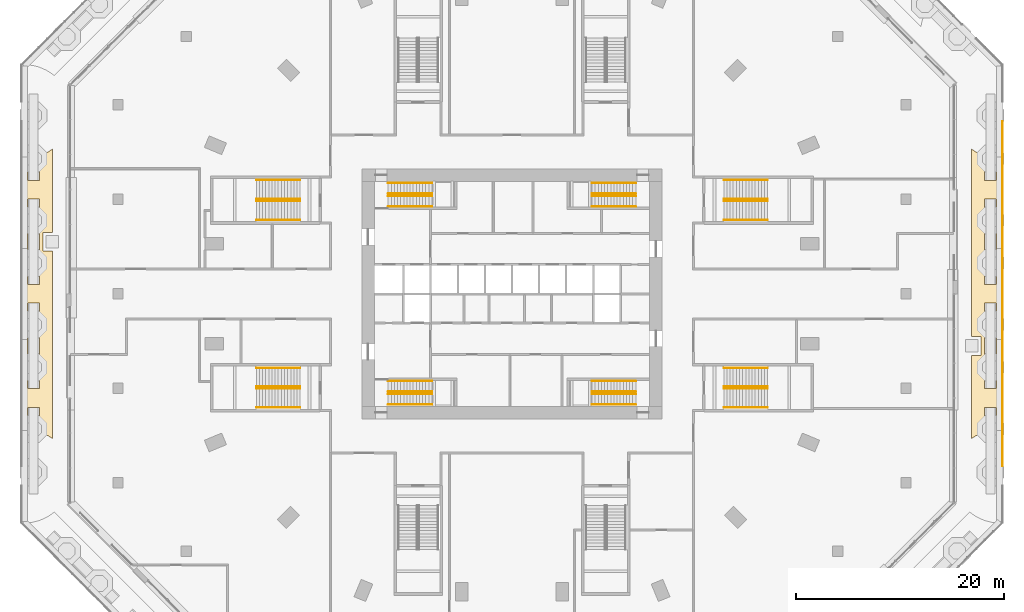
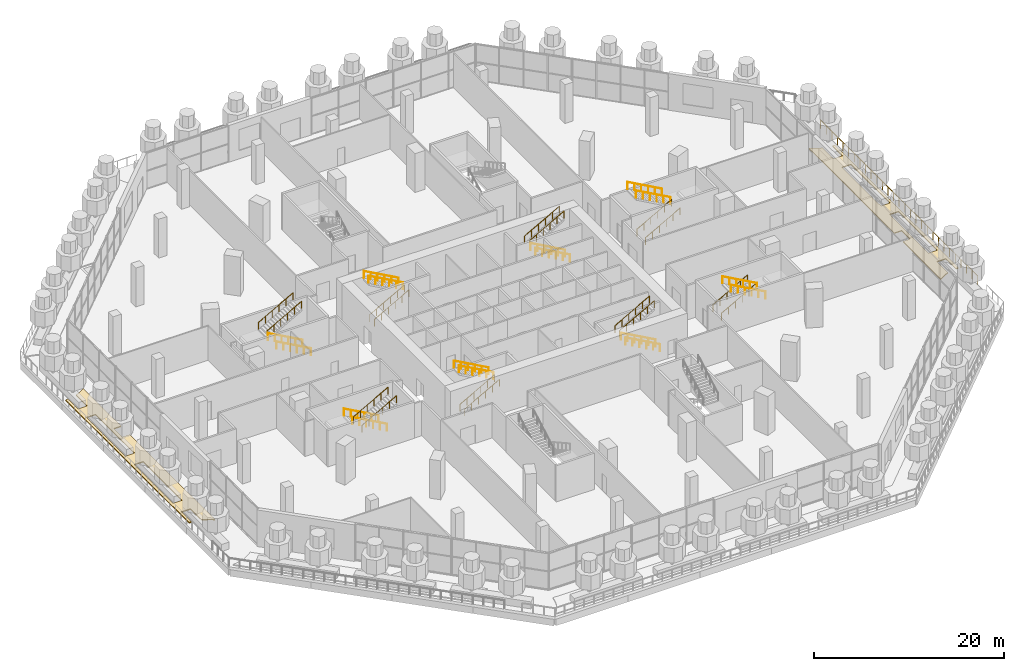
# One storey, part 30 of 32: 33 railings, 2 coverings.
"""IFC4 building model written with IfcOpenShell, lengths in metres."""

from ifc_helpers import new_model, si_unit, direction, frame, origin, origin_2d, place, context, subcontext, project, spatial, polyline, circle, outline, extrude, material, layer, layer_set, constituent, constituent_set, type_object, element, save


model = new_model("IFC4")

# Units and contexts
model_context = context("Model", 3, precision=1e-05, world=origin(), true_north=direction((0.0, 1.0)))
body_context = subcontext(model_context, "Body", "Model", "MODEL_VIEW")
ifc_project = project(units=[si_unit("LENGTHUNIT", "METRE"), si_unit("AREAUNIT", "SQUARE_METRE"), si_unit("VOLUMEUNIT", "CUBIC_METRE"), si_unit("PLANEANGLEUNIT", "RADIAN"), si_unit("MASSUNIT", "GRAM", prefix="KILO")], contexts=[model_context])

# Site, building, storey
site_placement = place(None, origin())
site = spatial("IfcSite", under=ifc_project, at=site_placement, CompositionType="ELEMENT")
building_placement = place(site_placement, origin())
building = spatial("IfcBuilding", under=site, at=building_placement, Name="Msitu Wima Residences", CompositionType="ELEMENT")
storey_placement = place(building_placement, frame((0.0, 0.0, 6.0)))
storey = spatial("IfcBuildingStorey", under=building, at=storey_placement, Name="L01", CompositionType="ELEMENT", Elevation=6.0)

# Railings
ifc_material_1 = material(Name="Steel S355", Category="steel")
ifc_constituent_1 = constituent(ifc_material_1, Name="Steel S355")
ifc_material_2 = material(Name="Black powder coating")
ifc_constituent_2 = constituent(ifc_material_2, Name="Black powder coating")
ifc_constituent_set_1 = constituent_set(constituents=[ifc_constituent_1, ifc_constituent_2], Name="Steel S355")
railing_type_1 = type_object("IfcRailingType", Name="Stair handrail HR1", PredefinedType="HANDRAIL", material=ifc_constituent_set_1)
for number, where, name in (
    (1, (-11.875, 8.375, 0.166748046875), "Stair 1 handrail"),
    (2, (-11.875, 9.375, 0.166748046875), "Stair 1 handrail"),
):
    element("IfcRailing", number, at=place(storey_placement, frame(where)), inside=storey, type_object=railing_type_1, Name=name, PredefinedType="HANDRAIL", context=body_context, shape_type="SweptSolid", body=[
        extrude(circle(Radius=0.02392578125, at=origin_2d()), frame((0.0, 0.0, 0.8759765625), z_axis=(0.874162069901, 0.0, 0.485634302275), x_axis=(0.0, 1.0, 0.0)), (0.0, 0.0, 1.0), 4.804443359375),
        extrude(circle(Radius=0.02099609375, at=origin_2d()), origin(), (0.0, 0.0, 1.0), 0.851806640625),
        extrude(circle(Radius=0.02099609375, at=origin_2d()), frame((0.840087890625, 0.0, 0.466552734375)), (0.0, 0.0, 1.0), 0.851806640625),
        extrude(circle(Radius=0.02099609375, at=origin_2d()), frame((1.679931640625, 0.0, 0.933349609375)), (0.0, 0.0, 1.0), 0.851806640625),
        extrude(circle(Radius=0.02099609375, at=origin_2d()), frame((2.52001953125, 0.0, 1.39990234375)), (0.0, 0.0, 1.0), 0.851806640625),
        extrude(circle(Radius=0.02099609375, at=origin_2d()), frame((3.35986328125, 0.0, 1.86669921875)), (0.0, 0.0, 1.0), 0.851806640625),
        extrude(circle(Radius=0.02099609375, at=origin_2d()), frame((4.199951171875, 0.0, 2.333251953125)), (0.0, 0.0, 1.0), 0.851806640625),
    ])
for number, where, name in (
    (3, (-7.675048828125, 9.625, 2.666748046875), "Stair 1 handrail"),
    (4, (-7.675048828125, 10.625, 2.666748046875), "Stair 1 handrail"),
):
    element("IfcRailing", number, at=place(storey_placement, frame(where)), inside=storey, type_object=railing_type_1, Name=name, PredefinedType="HANDRAIL", context=body_context, shape_type="SweptSolid", body=[
        extrude(circle(Radius=0.02392578125, at=origin_2d()), frame((0.0, 0.0, 0.8759765625), z_axis=(-0.874162069901, 0.0, 0.485634302275), x_axis=(0.0, -1.0, 0.0)), (0.0, 0.0, 1.0), 4.804443359375),
        extrude(circle(Radius=0.02099609375, at=origin_2d()), origin(), (0.0, 0.0, 1.0), 0.851806640625),
        extrude(circle(Radius=0.02099609375, at=origin_2d()), frame((-0.840087890625, 0.0, 0.466552734375)), (0.0, 0.0, 1.0), 0.851806640625),
        extrude(circle(Radius=0.02099609375, at=origin_2d()), frame((-1.679931640625, 0.0, 0.933349609375)), (0.0, 0.0, 1.0), 0.851806640625),
        extrude(circle(Radius=0.02099609375, at=origin_2d()), frame((-2.52001953125, 0.0, 1.39990234375)), (0.0, 0.0, 1.0), 0.851806640625),
        extrude(circle(Radius=0.02099609375, at=origin_2d()), frame((-3.35986328125, 0.0, 1.86669921875)), (0.0, 0.0, 1.0), 0.851806640625),
        extrude(circle(Radius=0.02099609375, at=origin_2d()), frame((-4.199951171875, 0.0, 2.333251953125)), (0.0, 0.0, 1.0), 0.851806640625),
    ])
for number, where, name in (
    (5, (-11.875, -10.625, 0.166748046875), "Stair 2 handrail"),
    (6, (-11.875, -9.625, 0.166748046875), "Stair 2 handrail"),
):
    element("IfcRailing", number, at=place(storey_placement, frame(where)), inside=storey, type_object=railing_type_1, Name=name, PredefinedType="HANDRAIL", context=body_context, shape_type="SweptSolid", body=[
        extrude(circle(Radius=0.02392578125, at=origin_2d()), frame((0.0, 0.0, 0.8759765625), z_axis=(0.874162069901, 0.0, 0.485634302275), x_axis=(0.0, 1.0, 0.0)), (0.0, 0.0, 1.0), 4.804443359375),
        extrude(circle(Radius=0.02099609375, at=origin_2d()), origin(), (0.0, 0.0, 1.0), 0.851806640625),
        extrude(circle(Radius=0.02099609375, at=origin_2d()), frame((0.840087890625, 0.0, 0.466552734375)), (0.0, 0.0, 1.0), 0.851806640625),
        extrude(circle(Radius=0.02099609375, at=origin_2d()), frame((1.679931640625, 0.0, 0.933349609375)), (0.0, 0.0, 1.0), 0.851806640625),
        extrude(circle(Radius=0.02099609375, at=origin_2d()), frame((2.52001953125, 0.0, 1.39990234375)), (0.0, 0.0, 1.0), 0.851806640625),
        extrude(circle(Radius=0.02099609375, at=origin_2d()), frame((3.35986328125, 0.0, 1.86669921875)), (0.0, 0.0, 1.0), 0.851806640625),
        extrude(circle(Radius=0.02099609375, at=origin_2d()), frame((4.199951171875, 0.0, 2.333251953125)), (0.0, 0.0, 1.0), 0.851806640625),
    ])
for number, where, name in (
    (7, (-7.675048828125, -9.375, 2.666748046875), "Stair 2 handrail"),
    (8, (-7.675048828125, -8.375, 2.666748046875), "Stair 2 handrail"),
    (9, (11.875, 8.375, 0.166748046875), "Stair 3 handrail"),
    (10, (11.875, 9.375, 0.166748046875), "Stair 3 handrail"),
):
    element("IfcRailing", number, at=place(storey_placement, frame(where)), inside=storey, type_object=railing_type_1, Name=name, PredefinedType="HANDRAIL", context=body_context, shape_type="SweptSolid", body=[
        extrude(circle(Radius=0.02392578125, at=origin_2d()), frame((0.0, 0.0, 0.8759765625), z_axis=(-0.874162069901, 0.0, 0.485634302275), x_axis=(0.0, -1.0, 0.0)), (0.0, 0.0, 1.0), 4.804443359375),
        extrude(circle(Radius=0.02099609375, at=origin_2d()), origin(), (0.0, 0.0, 1.0), 0.851806640625),
        extrude(circle(Radius=0.02099609375, at=origin_2d()), frame((-0.840087890625, 0.0, 0.466552734375)), (0.0, 0.0, 1.0), 0.851806640625),
        extrude(circle(Radius=0.02099609375, at=origin_2d()), frame((-1.679931640625, 0.0, 0.933349609375)), (0.0, 0.0, 1.0), 0.851806640625),
        extrude(circle(Radius=0.02099609375, at=origin_2d()), frame((-2.52001953125, 0.0, 1.39990234375)), (0.0, 0.0, 1.0), 0.851806640625),
        extrude(circle(Radius=0.02099609375, at=origin_2d()), frame((-3.35986328125, 0.0, 1.86669921875)), (0.0, 0.0, 1.0), 0.851806640625),
        extrude(circle(Radius=0.02099609375, at=origin_2d()), frame((-4.199951171875, 0.0, 2.333251953125)), (0.0, 0.0, 1.0), 0.851806640625),
    ])
for number, where, name in (
    (11, (7.675048828125, 9.625, 2.666748046875), "Stair 3 handrail"),
    (12, (7.675048828125, 10.625, 2.666748046875), "Stair 3 handrail"),
):
    element("IfcRailing", number, at=place(storey_placement, frame(where)), inside=storey, type_object=railing_type_1, Name=name, PredefinedType="HANDRAIL", context=body_context, shape_type="SweptSolid", body=[
        extrude(circle(Radius=0.02392578125, at=origin_2d()), frame((0.0, 0.0, 0.8759765625), z_axis=(0.874162069901, 0.0, 0.485634302275), x_axis=(0.0, 1.0, 0.0)), (0.0, 0.0, 1.0), 4.804443359375),
        extrude(circle(Radius=0.02099609375, at=origin_2d()), origin(), (0.0, 0.0, 1.0), 0.851806640625),
        extrude(circle(Radius=0.02099609375, at=origin_2d()), frame((0.840087890625, 0.0, 0.466552734375)), (0.0, 0.0, 1.0), 0.851806640625),
        extrude(circle(Radius=0.02099609375, at=origin_2d()), frame((1.679931640625, 0.0, 0.933349609375)), (0.0, 0.0, 1.0), 0.851806640625),
        extrude(circle(Radius=0.02099609375, at=origin_2d()), frame((2.52001953125, 0.0, 1.39990234375)), (0.0, 0.0, 1.0), 0.851806640625),
        extrude(circle(Radius=0.02099609375, at=origin_2d()), frame((3.35986328125, 0.0, 1.86669921875)), (0.0, 0.0, 1.0), 0.851806640625),
        extrude(circle(Radius=0.02099609375, at=origin_2d()), frame((4.199951171875, 0.0, 2.333251953125)), (0.0, 0.0, 1.0), 0.851806640625),
    ])
for number, where, name in (
    (13, (11.875, -10.625, 0.166748046875), "Stair 4 handrail"),
    (14, (11.875, -9.625, 0.166748046875), "Stair 4 handrail"),
):
    element("IfcRailing", number, at=place(storey_placement, frame(where)), inside=storey, type_object=railing_type_1, Name=name, PredefinedType="HANDRAIL", context=body_context, shape_type="SweptSolid", body=[
        extrude(circle(Radius=0.02392578125, at=origin_2d()), frame((0.0, 0.0, 0.8759765625), z_axis=(-0.874162069901, 0.0, 0.485634302275), x_axis=(0.0, -1.0, 0.0)), (0.0, 0.0, 1.0), 4.804443359375),
        extrude(circle(Radius=0.02099609375, at=origin_2d()), origin(), (0.0, 0.0, 1.0), 0.851806640625),
        extrude(circle(Radius=0.02099609375, at=origin_2d()), frame((-0.840087890625, 0.0, 0.466552734375)), (0.0, 0.0, 1.0), 0.851806640625),
        extrude(circle(Radius=0.02099609375, at=origin_2d()), frame((-1.679931640625, 0.0, 0.933349609375)), (0.0, 0.0, 1.0), 0.851806640625),
        extrude(circle(Radius=0.02099609375, at=origin_2d()), frame((-2.52001953125, 0.0, 1.39990234375)), (0.0, 0.0, 1.0), 0.851806640625),
        extrude(circle(Radius=0.02099609375, at=origin_2d()), frame((-3.35986328125, 0.0, 1.86669921875)), (0.0, 0.0, 1.0), 0.851806640625),
        extrude(circle(Radius=0.02099609375, at=origin_2d()), frame((-4.199951171875, 0.0, 2.333251953125)), (0.0, 0.0, 1.0), 0.851806640625),
    ])
for number, where, name in (
    (15, (7.675048828125, -9.375, 2.666748046875), "Stair 4 handrail"),
    (16, (7.675048828125, -8.375, 2.666748046875), "Stair 4 handrail"),
    (17, (20.324951171875, 7.10009765625, 0.166748046875), "Podium exit stair 1 handrail"),
    (18, (20.324951171875, 8.89990234375, 0.166748046875), "Podium exit stair 1 handrail"),
):
    element("IfcRailing", number, at=place(storey_placement, frame(where)), inside=storey, type_object=railing_type_1, Name=name, PredefinedType="HANDRAIL", context=body_context, shape_type="SweptSolid", body=[
        extrude(circle(Radius=0.02392578125, at=origin_2d()), frame((0.0, 0.0, 0.8759765625), z_axis=(0.874162069901, 0.0, 0.485634302275), x_axis=(0.0, 1.0, 0.0)), (0.0, 0.0, 1.0), 4.804443359375),
        extrude(circle(Radius=0.02099609375, at=origin_2d()), origin(), (0.0, 0.0, 1.0), 0.851806640625),
        extrude(circle(Radius=0.02099609375, at=origin_2d()), frame((0.840087890625, 0.0, 0.466552734375)), (0.0, 0.0, 1.0), 0.851806640625),
        extrude(circle(Radius=0.02099609375, at=origin_2d()), frame((1.679931640625, 0.0, 0.933349609375)), (0.0, 0.0, 1.0), 0.851806640625),
        extrude(circle(Radius=0.02099609375, at=origin_2d()), frame((2.52001953125, 0.0, 1.39990234375)), (0.0, 0.0, 1.0), 0.851806640625),
        extrude(circle(Radius=0.02099609375, at=origin_2d()), frame((3.35986328125, 0.0, 1.86669921875)), (0.0, 0.0, 1.0), 0.851806640625),
        extrude(circle(Radius=0.02099609375, at=origin_2d()), frame((4.199951171875, 0.0, 2.333251953125)), (0.0, 0.0, 1.0), 0.851806640625),
    ])
for number, where, name in (
    (19, (24.52490234375, 9.10009765625, 2.666748046875), "Podium exit stair 1 handrail"),
    (20, (24.52490234375, 10.89990234375, 2.666748046875), "Podium exit stair 1 handrail"),
):
    element("IfcRailing", number, at=place(storey_placement, frame(where)), inside=storey, type_object=railing_type_1, Name=name, PredefinedType="HANDRAIL", context=body_context, shape_type="SweptSolid", body=[
        extrude(circle(Radius=0.02392578125, at=origin_2d()), frame((0.0, 0.0, 0.8759765625), z_axis=(-0.874162069901, 0.0, 0.485634302275), x_axis=(0.0, -1.0, 0.0)), (0.0, 0.0, 1.0), 4.804443359375),
        extrude(circle(Radius=0.02099609375, at=origin_2d()), origin(), (0.0, 0.0, 1.0), 0.851806640625),
        extrude(circle(Radius=0.02099609375, at=origin_2d()), frame((-0.840087890625, 0.0, 0.466552734375)), (0.0, 0.0, 1.0), 0.851806640625),
        extrude(circle(Radius=0.02099609375, at=origin_2d()), frame((-1.679931640625, 0.0, 0.933349609375)), (0.0, 0.0, 1.0), 0.851806640625),
        extrude(circle(Radius=0.02099609375, at=origin_2d()), frame((-2.52001953125, 0.0, 1.39990234375)), (0.0, 0.0, 1.0), 0.851806640625),
        extrude(circle(Radius=0.02099609375, at=origin_2d()), frame((-3.35986328125, 0.0, 1.86669921875)), (0.0, 0.0, 1.0), 0.851806640625),
        extrude(circle(Radius=0.02099609375, at=origin_2d()), frame((-4.199951171875, 0.0, 2.333251953125)), (0.0, 0.0, 1.0), 0.851806640625),
    ])
for number, where, name in (
    (21, (20.324951171875, -7.10009765625, 0.166748046875), "Podium exit stair 2 handrail"),
    (22, (20.324951171875, -8.89990234375, 0.166748046875), "Podium exit stair 2 handrail"),
):
    element("IfcRailing", number, at=place(storey_placement, frame(where)), inside=storey, type_object=railing_type_1, Name=name, PredefinedType="HANDRAIL", context=body_context, shape_type="SweptSolid", body=[
        extrude(circle(Radius=0.02392578125, at=origin_2d()), frame((0.0, 0.0, 0.8759765625), z_axis=(0.874162069901, 0.0, 0.485634302275), x_axis=(0.0, 1.0, 0.0)), (0.0, 0.0, 1.0), 4.804443359375),
        extrude(circle(Radius=0.02099609375, at=origin_2d()), origin(), (0.0, 0.0, 1.0), 0.851806640625),
        extrude(circle(Radius=0.02099609375, at=origin_2d()), frame((0.840087890625, 0.0, 0.466552734375)), (0.0, 0.0, 1.0), 0.851806640625),
        extrude(circle(Radius=0.02099609375, at=origin_2d()), frame((1.679931640625, 0.0, 0.933349609375)), (0.0, 0.0, 1.0), 0.851806640625),
        extrude(circle(Radius=0.02099609375, at=origin_2d()), frame((2.52001953125, 0.0, 1.39990234375)), (0.0, 0.0, 1.0), 0.851806640625),
        extrude(circle(Radius=0.02099609375, at=origin_2d()), frame((3.35986328125, 0.0, 1.86669921875)), (0.0, 0.0, 1.0), 0.851806640625),
        extrude(circle(Radius=0.02099609375, at=origin_2d()), frame((4.199951171875, 0.0, 2.333251953125)), (0.0, 0.0, 1.0), 0.851806640625),
    ])
for number, where, name in (
    (23, (24.52490234375, -9.10009765625, 2.666748046875), "Podium exit stair 2 handrail"),
    (24, (24.52490234375, -10.89990234375, 2.666748046875), "Podium exit stair 2 handrail"),
    (25, (-20.324951171875, -7.10009765625, 0.166748046875), "Podium exit stair 5 handrail"),
    (26, (-20.324951171875, -8.89990234375, 0.166748046875), "Podium exit stair 5 handrail"),
):
    element("IfcRailing", number, at=place(storey_placement, frame(where)), inside=storey, type_object=railing_type_1, Name=name, PredefinedType="HANDRAIL", context=body_context, shape_type="SweptSolid", body=[
        extrude(circle(Radius=0.02392578125, at=origin_2d()), frame((0.0, 0.0, 0.8759765625), z_axis=(-0.874162069901, 0.0, 0.485634302275), x_axis=(0.0, -1.0, 0.0)), (0.0, 0.0, 1.0), 4.804443359375),
        extrude(circle(Radius=0.02099609375, at=origin_2d()), origin(), (0.0, 0.0, 1.0), 0.851806640625),
        extrude(circle(Radius=0.02099609375, at=origin_2d()), frame((-0.840087890625, 0.0, 0.466552734375)), (0.0, 0.0, 1.0), 0.851806640625),
        extrude(circle(Radius=0.02099609375, at=origin_2d()), frame((-1.679931640625, 0.0, 0.933349609375)), (0.0, 0.0, 1.0), 0.851806640625),
        extrude(circle(Radius=0.02099609375, at=origin_2d()), frame((-2.52001953125, 0.0, 1.39990234375)), (0.0, 0.0, 1.0), 0.851806640625),
        extrude(circle(Radius=0.02099609375, at=origin_2d()), frame((-3.35986328125, 0.0, 1.86669921875)), (0.0, 0.0, 1.0), 0.851806640625),
        extrude(circle(Radius=0.02099609375, at=origin_2d()), frame((-4.199951171875, 0.0, 2.333251953125)), (0.0, 0.0, 1.0), 0.851806640625),
    ])
for number, where, name in (
    (27, (-24.52490234375, -9.10009765625, 2.666748046875), "Podium exit stair 5 handrail"),
    (28, (-24.52490234375, -10.89990234375, 2.666748046875), "Podium exit stair 5 handrail"),
):
    element("IfcRailing", number, at=place(storey_placement, frame(where)), inside=storey, type_object=railing_type_1, Name=name, PredefinedType="HANDRAIL", context=body_context, shape_type="SweptSolid", body=[
        extrude(circle(Radius=0.02392578125, at=origin_2d()), frame((0.0, 0.0, 0.8759765625), z_axis=(0.874162069901, 0.0, 0.485634302275), x_axis=(0.0, 1.0, 0.0)), (0.0, 0.0, 1.0), 4.804443359375),
        extrude(circle(Radius=0.02099609375, at=origin_2d()), origin(), (0.0, 0.0, 1.0), 0.851806640625),
        extrude(circle(Radius=0.02099609375, at=origin_2d()), frame((0.840087890625, 0.0, 0.466552734375)), (0.0, 0.0, 1.0), 0.851806640625),
        extrude(circle(Radius=0.02099609375, at=origin_2d()), frame((1.679931640625, 0.0, 0.933349609375)), (0.0, 0.0, 1.0), 0.851806640625),
        extrude(circle(Radius=0.02099609375, at=origin_2d()), frame((2.52001953125, 0.0, 1.39990234375)), (0.0, 0.0, 1.0), 0.851806640625),
        extrude(circle(Radius=0.02099609375, at=origin_2d()), frame((3.35986328125, 0.0, 1.86669921875)), (0.0, 0.0, 1.0), 0.851806640625),
        extrude(circle(Radius=0.02099609375, at=origin_2d()), frame((4.199951171875, 0.0, 2.333251953125)), (0.0, 0.0, 1.0), 0.851806640625),
    ])
for number, where, name in (
    (29, (-20.324951171875, 7.10009765625, 0.166748046875), "Podium exit stair 6 handrail"),
    (30, (-20.324951171875, 8.89990234375, 0.166748046875), "Podium exit stair 6 handrail"),
):
    element("IfcRailing", number, at=place(storey_placement, frame(where)), inside=storey, type_object=railing_type_1, Name=name, PredefinedType="HANDRAIL", context=body_context, shape_type="SweptSolid", body=[
        extrude(circle(Radius=0.02392578125, at=origin_2d()), frame((0.0, 0.0, 0.8759765625), z_axis=(-0.874162069901, 0.0, 0.485634302275), x_axis=(0.0, -1.0, 0.0)), (0.0, 0.0, 1.0), 4.804443359375),
        extrude(circle(Radius=0.02099609375, at=origin_2d()), origin(), (0.0, 0.0, 1.0), 0.851806640625),
        extrude(circle(Radius=0.02099609375, at=origin_2d()), frame((-0.840087890625, 0.0, 0.466552734375)), (0.0, 0.0, 1.0), 0.851806640625),
        extrude(circle(Radius=0.02099609375, at=origin_2d()), frame((-1.679931640625, 0.0, 0.933349609375)), (0.0, 0.0, 1.0), 0.851806640625),
        extrude(circle(Radius=0.02099609375, at=origin_2d()), frame((-2.52001953125, 0.0, 1.39990234375)), (0.0, 0.0, 1.0), 0.851806640625),
        extrude(circle(Radius=0.02099609375, at=origin_2d()), frame((-3.35986328125, 0.0, 1.86669921875)), (0.0, 0.0, 1.0), 0.851806640625),
        extrude(circle(Radius=0.02099609375, at=origin_2d()), frame((-4.199951171875, 0.0, 2.333251953125)), (0.0, 0.0, 1.0), 0.851806640625),
    ])
for number, where, name in (
    (31, (-24.52490234375, 9.10009765625, 2.666748046875), "Podium exit stair 6 handrail"),
    (32, (-24.52490234375, 10.89990234375, 2.666748046875), "Podium exit stair 6 handrail"),
):
    element("IfcRailing", number, at=place(storey_placement, frame(where)), inside=storey, type_object=railing_type_1, Name=name, PredefinedType="HANDRAIL", context=body_context, shape_type="SweptSolid", body=[
        extrude(circle(Radius=0.02392578125, at=origin_2d()), frame((0.0, 0.0, 0.8759765625), z_axis=(0.874162069901, 0.0, 0.485634302275), x_axis=(0.0, 1.0, 0.0)), (0.0, 0.0, 1.0), 4.804443359375),
        extrude(circle(Radius=0.02099609375, at=origin_2d()), origin(), (0.0, 0.0, 1.0), 0.851806640625),
        extrude(circle(Radius=0.02099609375, at=origin_2d()), frame((0.840087890625, 0.0, 0.466552734375)), (0.0, 0.0, 1.0), 0.851806640625),
        extrude(circle(Radius=0.02099609375, at=origin_2d()), frame((1.679931640625, 0.0, 0.933349609375)), (0.0, 0.0, 1.0), 0.851806640625),
        extrude(circle(Radius=0.02099609375, at=origin_2d()), frame((2.52001953125, 0.0, 1.39990234375)), (0.0, 0.0, 1.0), 0.851806640625),
        extrude(circle(Radius=0.02099609375, at=origin_2d()), frame((3.35986328125, 0.0, 1.86669921875)), (0.0, 0.0, 1.0), 0.851806640625),
        extrude(circle(Radius=0.02099609375, at=origin_2d()), frame((4.199951171875, 0.0, 2.333251953125)), (0.0, 0.0, 1.0), 0.851806640625),
    ])
ifc_constituent_3 = constituent(ifc_material_1, Name="Steel S355")
ifc_material_3 = material(Name="Weathering patina")
ifc_constituent_4 = constituent(ifc_material_3, Name="Weathering patina")
ifc_constituent_set_2 = constituent_set(constituents=[ifc_constituent_3, ifc_constituent_4], Name="Steel S355")
railing_type_2 = type_object("IfcRailingType", Name="Terrace guard GR1100", PredefinedType="GUARDRAIL", material=ifc_constituent_set_2)
railing_placement = place(storey_placement, frame((47.050048828125, 16.53466796875, 0.0)))
element("IfcRailing", 33, at=railing_placement, inside=storey, type_object=railing_type_2, Name="Terrace guard L00 roof 6", PredefinedType="GUARDRAIL", context=body_context, shape_type="SweptSolid", body=[
    extrude(circle(Radius=0.02392578125, at=origin_2d()), frame((0.0, 0.0, 1.076171875), z_axis=(0.0, -1.0, 0.0), x_axis=(1.0, 0.0, 0.0)), (0.0, 0.0, 1.0), 33.0693359375),
    extrude(circle(Radius=0.02099609375, at=origin_2d()), origin(), (0.0, 0.0, 1.0), 1.052001953125),
    extrude(circle(Radius=0.02099609375, at=origin_2d()), frame((0.0, -1.18115234375, 0.0)), (0.0, 0.0, 1.0), 1.052001953125),
    extrude(circle(Radius=0.02099609375, at=origin_2d()), frame((0.0, -2.362060546875, 0.0)), (0.0, 0.0, 1.0), 1.052001953125),
    extrude(circle(Radius=0.02099609375, at=origin_2d()), frame((0.0, -3.543212890625, 0.0)), (0.0, 0.0, 1.0), 1.052001953125),
    extrude(circle(Radius=0.02099609375, at=origin_2d()), frame((0.0, -4.72412109375, 0.0)), (0.0, 0.0, 1.0), 1.052001953125),
    extrude(circle(Radius=0.02099609375, at=origin_2d()), frame((0.0, -5.9052734375, 0.0)), (0.0, 0.0, 1.0), 1.052001953125),
    extrude(circle(Radius=0.02099609375, at=origin_2d()), frame((0.0, -7.086181640625, 0.0)), (0.0, 0.0, 1.0), 1.052001953125),
    extrude(circle(Radius=0.02099609375, at=origin_2d()), frame((0.0, -8.267333984375, 0.0)), (0.0, 0.0, 1.0), 1.052001953125),
    extrude(circle(Radius=0.02099609375, at=origin_2d()), frame((0.0, -9.448486328125, 0.0)), (0.0, 0.0, 1.0), 1.052001953125),
    extrude(circle(Radius=0.02099609375, at=origin_2d()), frame((0.0, -10.62939453125, 0.0)), (0.0, 0.0, 1.0), 1.052001953125),
    extrude(circle(Radius=0.02099609375, at=origin_2d()), frame((0.0, -11.810546875, 0.0)), (0.0, 0.0, 1.0), 1.052001953125),
    extrude(circle(Radius=0.02099609375, at=origin_2d()), frame((0.0, -12.991455078125, 0.0)), (0.0, 0.0, 1.0), 1.052001953125),
    extrude(circle(Radius=0.02099609375, at=origin_2d()), frame((0.0, -14.172607421875, 0.0)), (0.0, 0.0, 1.0), 1.052001953125),
    extrude(circle(Radius=0.02099609375, at=origin_2d()), frame((0.0, -15.353515625, 0.0)), (0.0, 0.0, 1.0), 1.052001953125),
    extrude(circle(Radius=0.02099609375, at=origin_2d()), frame((0.0, -16.53466796875, 0.0)), (0.0, 0.0, 1.0), 1.052001953125),
    extrude(circle(Radius=0.02099609375, at=origin_2d()), frame((0.0, -17.7158203125, 0.0)), (0.0, 0.0, 1.0), 1.052001953125),
    extrude(circle(Radius=0.02099609375, at=origin_2d()), frame((0.0, -18.896728515625, 0.0)), (0.0, 0.0, 1.0), 1.052001953125),
    extrude(circle(Radius=0.02099609375, at=origin_2d()), frame((0.0, -20.077880859375, 0.0)), (0.0, 0.0, 1.0), 1.052001953125),
    extrude(circle(Radius=0.02099609375, at=origin_2d()), frame((0.0, -21.2587890625, 0.0)), (0.0, 0.0, 1.0), 1.052001953125),
    extrude(circle(Radius=0.02099609375, at=origin_2d()), frame((0.0, -22.43994140625, 0.0)), (0.0, 0.0, 1.0), 1.052001953125),
    extrude(circle(Radius=0.02099609375, at=origin_2d()), frame((0.0, -23.620849609375, 0.0)), (0.0, 0.0, 1.0), 1.052001953125),
    extrude(circle(Radius=0.02099609375, at=origin_2d()), frame((0.0, -24.802001953125, 0.0)), (0.0, 0.0, 1.0), 1.052001953125),
    extrude(circle(Radius=0.02099609375, at=origin_2d()), frame((0.0, -25.983154296875, 0.0)), (0.0, 0.0, 1.0), 1.052001953125),
    extrude(circle(Radius=0.02099609375, at=origin_2d()), frame((0.0, -27.1640625, 0.0)), (0.0, 0.0, 1.0), 1.052001953125),
    extrude(circle(Radius=0.02099609375, at=origin_2d()), frame((0.0, -28.34521484375, 0.0)), (0.0, 0.0, 1.0), 1.052001953125),
    extrude(circle(Radius=0.02099609375, at=origin_2d()), frame((0.0, -29.526123046875, 0.0)), (0.0, 0.0, 1.0), 1.052001953125),
    extrude(circle(Radius=0.02099609375, at=origin_2d()), frame((0.0, -30.707275390625, 0.0)), (0.0, 0.0, 1.0), 1.052001953125),
    extrude(circle(Radius=0.02099609375, at=origin_2d()), frame((0.0, -31.88818359375, 0.0)), (0.0, 0.0, 1.0), 1.052001953125),
    extrude(circle(Radius=0.02099609375, at=origin_2d()), frame((0.0, -33.0693359375, 0.0)), (0.0, 0.0, 1.0), 1.052001953125),
])

# Coverings
ifc_material_4 = material(Name="Lawn and planting")
ifc_layer = layer(ifc_material_4, 0.1201171875)
ifc_layer_set = layer_set([ifc_layer], Name="Lawn and planting")
covering_type = type_object("IfcCoveringType", Name="Terrace planting PL120", PredefinedType="USERDEFINED", material=ifc_layer_set)
covering_1_placement = place(storey_placement, origin())
element("IfcCovering", 34, at=covering_1_placement, inside=storey, type_object=covering_type, Name="Terrace planting L01 1", ObjectType="PLANTING", PredefinedType="USERDEFINED", context=body_context, shape_type="SweptSolid", body=[
    extrude(outline(polyline([(-46.75, 12.987060546875), (-46.449951171875, 13.001953125), (-46.449951171875, 10.89599609375), (-45.35009765625, 10.89599609375), (-45.35009765625, 13.22998046875), (-45.077880859375, 13.3271484375), (-44.6787109375, 13.51611328125), (-44.300048828125, 13.7431640625), (-44.10009765625, 13.891357421875), (-44.10009765625, 5.89794921875), (-45.0, 5.89794921875), (-45.0, 4.097900390625), (-44.10009765625, 4.097900390625), (-44.10009765625, -13.891357421875), (-44.300048828125, -13.7431640625), (-44.6787109375, -13.51611328125), (-45.077880859375, -13.3271484375), (-45.35009765625, -13.22998046875), (-45.35009765625, -10.89599609375), (-46.449951171875, -10.89599609375), (-46.449951171875, -13.001953125), (-46.75, -12.987060546875), (-46.75, 12.987060546875)]), holes=[polyline([(-46.449951171875, -9.095947265625), (-45.35009765625, -9.095947265625), (-45.35009765625, -0.89990234375), (-46.449951171875, -0.89990234375), (-46.449951171875, -9.095947265625)]), polyline([(-45.35009765625, 0.89990234375), (-45.35009765625, 9.095947265625), (-46.449951171875, 9.095947265625), (-46.449951171875, 0.89990234375), (-45.35009765625, 0.89990234375)])]), origin(), (0.0, 0.0, 1.0), 0.1201171875),
])
covering_2_placement = place(storey_placement, origin())
element("IfcCovering", 35, at=covering_2_placement, inside=storey, type_object=covering_type, Name="Terrace planting L01 6", ObjectType="PLANTING", PredefinedType="USERDEFINED", context=body_context, shape_type="SweptSolid", body=[
    extrude(outline(polyline([(46.75, -12.987060546875), (46.449951171875, -13.001953125), (46.449951171875, -10.89599609375), (45.35009765625, -10.89599609375), (45.35009765625, -13.22998046875), (45.077880859375, -13.3271484375), (44.6787109375, -13.51611328125), (44.300048828125, -13.7431640625), (44.10009765625, -13.891357421875), (44.10009765625, -5.89794921875), (45.0, -5.89794921875), (45.0, -4.097900390625), (44.10009765625, -4.097900390625), (44.10009765625, 13.891357421875), (44.300048828125, 13.7431640625), (44.6787109375, 13.51611328125), (45.077880859375, 13.3271484375), (45.35009765625, 13.22998046875), (45.35009765625, 10.89599609375), (46.449951171875, 10.89599609375), (46.449951171875, 13.001953125), (46.75, 12.987060546875), (46.75, -12.987060546875)]), holes=[polyline([(45.35009765625, -0.89990234375), (45.35009765625, -9.095947265625), (46.449951171875, -9.095947265625), (46.449951171875, -0.89990234375), (45.35009765625, -0.89990234375)]), polyline([(46.449951171875, 9.095947265625), (45.35009765625, 9.095947265625), (45.35009765625, 0.89990234375), (46.449951171875, 0.89990234375), (46.449951171875, 9.095947265625)])]), origin(), (0.0, 0.0, 1.0), 0.1201171875),
])

save(model, "model.ifc")
